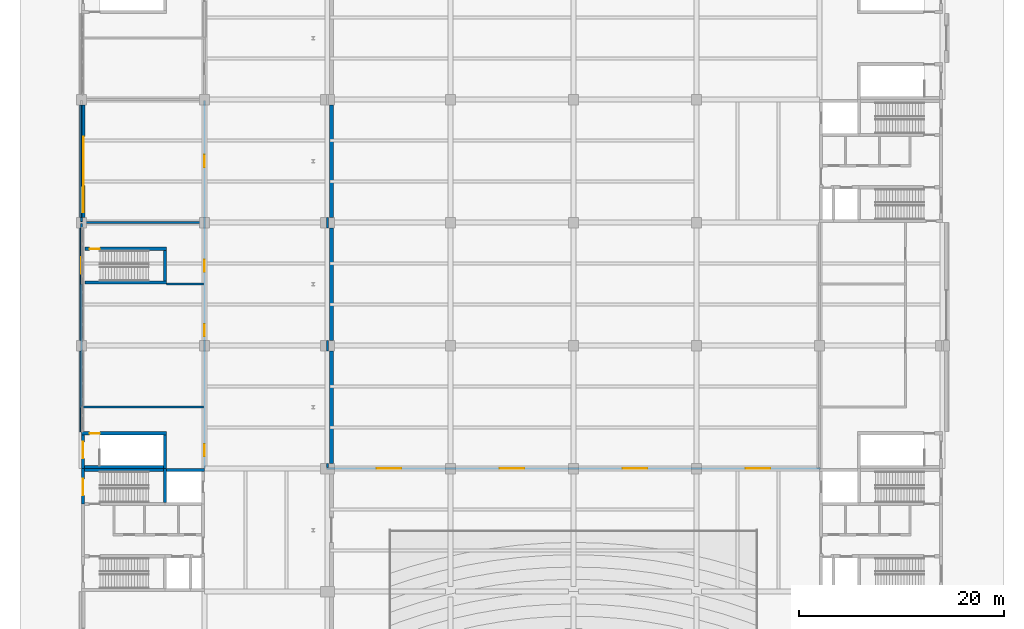
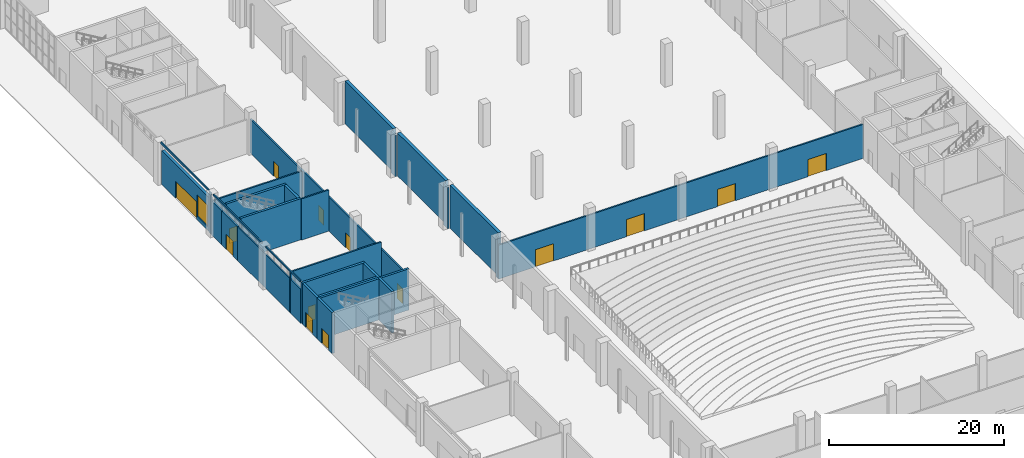
# One storey, part 41 of 59: 31 walls, 14 doors, 1 window, 15 openings.
"""IFC4 building model written with IfcOpenShell, lengths in metres."""

from ifc_helpers import new_model, si_unit, direction, frame, frame_2d, origin, place, context, subcontext, project, spatial, rectangle, extrude, material, layer, layer_set, type_object, element, fill, save


model = new_model("IFC4")

# Units and contexts
model_context = context("Model", 3, precision=1e-05, world=origin(), true_north=direction((0.0, 1.0)))
body_context = subcontext(model_context, "Body", "Model", "MODEL_VIEW")
ifc_project = project(units=[si_unit("LENGTHUNIT", "METRE"), si_unit("AREAUNIT", "SQUARE_METRE"), si_unit("VOLUMEUNIT", "CUBIC_METRE"), si_unit("PLANEANGLEUNIT", "RADIAN"), si_unit("MASSUNIT", "GRAM", prefix="KILO")], contexts=[model_context])

# Site, building, storey
site_placement = place(None, origin())
site = spatial("IfcSite", under=ifc_project, at=site_placement, CompositionType="ELEMENT")
building_placement = place(site_placement, origin())
building = spatial("IfcBuilding", under=site, at=building_placement, Name="Lilac Gate Convention Centre", CompositionType="ELEMENT")
storey_placement = place(building_placement, origin())
storey = spatial("IfcBuildingStorey", under=building, at=storey_placement, Name="L00", CompositionType="ELEMENT", Elevation=0.0)

# Walls
ifc_material_1 = material(Name="Concrete C30", Category="concrete")
ifc_layer_1 = layer(ifc_material_1, 0.39990234375)
ifc_layer_set_1 = layer_set([ifc_layer_1], Name="Concrete C30")
wall_type_1 = type_object("IfcWallType", Name="Hall fire wall 400", PredefinedType="SOLIDWALL", material=ifc_layer_set_1)
for number, where, z_axis, x_axis, name in (
    (1, (30.39990234375, 162.5, 0.0), (0.0, 0.0, 1.0), (0.0, 1.0, 0.0), "Fire wall galleria FW L00 12"),
    (2, (30.39990234375, 174.5, 0.0), (0.0, 0.0, 1.0), (0.0, 1.0, 0.0), "Fire wall galleria FW L00 13"),
    (3, (30.39990234375, 186.5, 0.0), (0.0, 0.0, 1.0), (0.0, 1.0, 0.0), "Fire wall galleria FW L00 14"),
):
    element("IfcWall", number, at=place(storey_placement, frame(where, z_axis=z_axis, x_axis=x_axis)), inside=storey, type_object=wall_type_1, Name=name, PredefinedType="SOLIDWALL", context=body_context, shape_type="SweptSolid", body=[
        extrude(rectangle(XDim=11.0, YDim=0.39990234375, at=frame_2d((5.5, 0.0))), origin(), (0.0, 0.0, 1.0), 6.0),
    ])
ifc_material_2 = material(Name="Fire-rated gypsum board on steel stud", Category="steel")
ifc_layer_2 = layer(ifc_material_2, 0.14990234375)
ifc_layer_set_2 = layer_set([ifc_layer_2], Name="Fire-rated gypsum board on steel stud")
wall_type_2 = type_object("IfcWallType", Name="Partition 150 fire-rated gypsum board EI 60", PredefinedType="PARTITIONING", material=ifc_layer_set_2)
wall_1_placement = place(storey_placement, frame((6.0, 168.10009765625, 0.0), z_axis=(0.0, 0.0, 1.0), x_axis=(0.0, 1.0, 0.0)))
element("IfcWall", 4, at=wall_1_placement, inside=storey, type_object=wall_type_2, Name="Partition 150 fire-rated gypsum board EI 60", PredefinedType="PARTITIONING", context=body_context, shape_type="SweptSolid", body=[
    extrude(rectangle(XDim=11.89990234375, YDim=0.14990234375, at=frame_2d((5.949951171875, 0.0))), origin(), (0.0, 0.0, 1.0), 4.75),
])
wall_2_placement = place(storey_placement, frame((6.0, 186.10009765625, 0.0), z_axis=(0.0, 0.0, 1.0), x_axis=(0.0, 1.0, 0.0)))
element("IfcWall", 5, at=wall_2_placement, inside=storey, type_object=wall_type_2, Name="Partition 150 fire-rated gypsum board EI 60", PredefinedType="PARTITIONING", context=body_context, shape_type="SweptSolid", body=[
    extrude(rectangle(XDim=0.39990234375, YDim=0.14990234375, at=frame_2d((0.199951171875, 0.0))), origin(), (0.0, 0.0, 1.0), 5.75),
])

# Wall, openings, doors
ifc_material_3 = material(Name="Clay brick masonry", Category="masonry")
ifc_layer_3 = layer(ifc_material_3, 0.199951171875)
ifc_layer_set_3 = layer_set([ifc_layer_3], Name="Clay brick masonry")
wall_type_3 = type_object("IfcWallType", Name="Partition 200 brick EI 120", PredefinedType="PARTITIONING", material=ifc_layer_set_3)
wall_3_placement = place(storey_placement, frame((29.89990234375, 162.0, 0.0), z_axis=(0.0, 0.0, 1.0), x_axis=(1.0, 0.0, 0.0)))
wall_3 = element("IfcWall", 6, at=wall_3_placement, inside=storey, type_object=wall_type_3, Name="Partition 200 brick EI 120", PredefinedType="PARTITIONING", context=body_context, shape_type="SweptSolid", body=[
    extrude(rectangle(XDim=48.2001953125, YDim=0.199951171875, at=frame_2d((24.10009765625, 0.0))), origin(), (0.0, 0.0, 1.0), 4.75),
])
opening_1_placement = place(wall_3_placement, frame((4.89990234375, 0.0, 0.0)))
opening_1 = element("IfcOpeningElement", 7, at=opening_1_placement, cuts=wall_3, Name="Opening L00-093", PredefinedType="OPENING", context=body_context, shape_type="SweptSolid", body=[
    extrude(rectangle(XDim=2.39990234375, YDim=2.39990234375, at=frame_2d((1.199951171875, 1.199951171875))), frame((0.0, 0.10986328125, 0.0), z_axis=(0.0, -1.0, 0.0), x_axis=(1.0, 0.0, 0.0)), (0.0, 0.0, 1.0), 0.219970703125),
])
opening_2_placement = place(wall_3_placement, frame((16.89990234375, 0.0, 0.0)))
opening_2 = element("IfcOpeningElement", 8, at=opening_2_placement, cuts=wall_3, Name="Opening L00-094", PredefinedType="OPENING", context=body_context, shape_type="SweptSolid", body=[
    extrude(rectangle(XDim=2.39990234375, YDim=2.39990234375, at=frame_2d((1.199951171875, 1.199951171875))), frame((0.0, 0.10986328125, 0.0), z_axis=(0.0, -1.0, 0.0), x_axis=(1.0, 0.0, 0.0)), (0.0, 0.0, 1.0), 0.219970703125),
])
opening_3_placement = place(wall_3_placement, frame((28.89990234375, 0.0, 0.0)))
opening_3 = element("IfcOpeningElement", 9, at=opening_3_placement, cuts=wall_3, Name="Opening L00-095", PredefinedType="OPENING", context=body_context, shape_type="SweptSolid", body=[
    extrude(rectangle(XDim=2.39990234375, YDim=2.39990234375, at=frame_2d((1.199951171875, 1.199951171875))), frame((0.0, 0.10986328125, 0.0), z_axis=(0.0, -1.0, 0.0), x_axis=(1.0, 0.0, 0.0)), (0.0, 0.0, 1.0), 0.219970703125),
])
opening_4_placement = place(wall_3_placement, frame((40.89990234375, 0.0, 0.0)))
opening_4 = element("IfcOpeningElement", 10, at=opening_4_placement, cuts=wall_3, Name="Opening L00-096", PredefinedType="OPENING", context=body_context, shape_type="SweptSolid", body=[
    extrude(rectangle(XDim=2.39990234375, YDim=2.39990234375, at=frame_2d((1.199951171875, 1.199951171875))), frame((0.0, 0.10986328125, 0.0), z_axis=(0.0, -1.0, 0.0), x_axis=(1.0, 0.0, 0.0)), (0.0, 0.0, 1.0), 0.219970703125),
])
ifc_material_4 = material(Name="Steel Q235B", Category="steel")
door_type_1 = type_object("IfcDoorType", Name="Door 2400 x 2400 double leaf FD90", OperationType="DOUBLE_DOOR_SINGLE_SWING", PredefinedType="DOOR", material=ifc_material_4)
door_1_placement = place(opening_1_placement, origin())
door_1 = element("IfcDoor", 11, at=door_1_placement, inside=storey, type_object=door_type_1, Name="Hall exit door L00-093", OperationType="DOUBLE_DOOR_SINGLE_SWING", OverallHeight=2.39990234375, OverallWidth=2.39990234375, PredefinedType="DOOR", context=body_context, shape_type="SweptSolid", body=[
    extrude(rectangle(XDim=2.39990234375, YDim=2.39990234375, at=frame_2d((1.199951171875, 1.199951171875))), frame((0.0, 0.02490234375, 0.0), z_axis=(0.0, -1.0, 0.0), x_axis=(1.0, 0.0, 0.0)), (0.0, 0.0, 1.0), 0.050048828125),
])
fill(opening_1, door_1)
door_2_placement = place(opening_2_placement, origin())
door_2 = element("IfcDoor", 12, at=door_2_placement, inside=storey, type_object=door_type_1, Name="Hall exit door L00-094", OperationType="DOUBLE_DOOR_SINGLE_SWING", OverallHeight=2.39990234375, OverallWidth=2.39990234375, PredefinedType="DOOR", context=body_context, shape_type="SweptSolid", body=[
    extrude(rectangle(XDim=2.39990234375, YDim=2.39990234375, at=frame_2d((1.199951171875, 1.199951171875))), frame((0.0, 0.02490234375, 0.0), z_axis=(0.0, -1.0, 0.0), x_axis=(1.0, 0.0, 0.0)), (0.0, 0.0, 1.0), 0.050048828125),
])
fill(opening_2, door_2)
door_3_placement = place(opening_3_placement, origin())
door_3 = element("IfcDoor", 13, at=door_3_placement, inside=storey, type_object=door_type_1, Name="Hall exit door L00-095", OperationType="DOUBLE_DOOR_SINGLE_SWING", OverallHeight=2.39990234375, OverallWidth=2.39990234375, PredefinedType="DOOR", context=body_context, shape_type="SweptSolid", body=[
    extrude(rectangle(XDim=2.39990234375, YDim=2.39990234375, at=frame_2d((1.199951171875, 1.199951171875))), frame((0.0, 0.02490234375, 0.0), z_axis=(0.0, -1.0, 0.0), x_axis=(1.0, 0.0, 0.0)), (0.0, 0.0, 1.0), 0.050048828125),
])
fill(opening_3, door_3)
door_4_placement = place(opening_4_placement, origin())
door_4 = element("IfcDoor", 14, at=door_4_placement, inside=storey, type_object=door_type_1, Name="Hall exit door L00-096", OperationType="DOUBLE_DOOR_SINGLE_SWING", OverallHeight=2.39990234375, OverallWidth=2.39990234375, PredefinedType="DOOR", context=body_context, shape_type="SweptSolid", body=[
    extrude(rectangle(XDim=2.39990234375, YDim=2.39990234375, at=frame_2d((1.199951171875, 1.199951171875))), frame((0.0, 0.02490234375, 0.0), z_axis=(0.0, -1.0, 0.0), x_axis=(1.0, 0.0, 0.0)), (0.0, 0.0, 1.0), 0.050048828125),
])
fill(opening_4, door_4)

# Wall, opening, door
wall_4_placement = place(storey_placement, frame((6.0, 180.0, 0.0), z_axis=(0.0, 0.0, 1.0), x_axis=(0.0, 1.0, 0.0)))
wall_4 = element("IfcWall", 15, at=wall_4_placement, inside=storey, type_object=wall_type_3, Name="Partition 200 brick EI 120", PredefinedType="PARTITIONING", context=body_context, shape_type="SweptSolid", body=[
    extrude(rectangle(XDim=3.60009765625, YDim=0.199951171875, at=frame_2d((1.800048828125, 0.0))), origin(), (0.0, 0.0, 1.0), 4.75),
])
opening_5_placement = place(wall_4_placement, frame((1.0, 0.0, 0.0)))
opening_5 = element("IfcOpeningElement", 16, at=opening_5_placement, cuts=wall_4, Name="Opening L00-104", PredefinedType="OPENING", context=body_context, shape_type="SweptSolid", body=[
    extrude(rectangle(XDim=1.60009765625, YDim=2.10009765625, at=frame_2d((0.800048828125, 1.050048828125))), frame((0.0, 0.10986328125, 0.0), z_axis=(0.0, -1.0, 0.0), x_axis=(1.0, 0.0, 0.0)), (0.0, 0.0, 1.0), 0.219970703125),
])
ifc_material_5 = material(Name="Timber fire door leaf", Category="wood")
door_type_2 = type_object("IfcDoorType", Name="Door 1600 x 2100 double leaf FD60", OperationType="DOUBLE_DOOR_SINGLE_SWING", PredefinedType="DOOR", material=ifc_material_5)
door_5_placement = place(opening_5_placement, origin())
door_5 = element("IfcDoor", 17, at=door_5_placement, inside=storey, type_object=door_type_2, Name="Stair exit door L00-104", OperationType="DOUBLE_DOOR_SINGLE_SWING", OverallHeight=2.10009765625, OverallWidth=1.60009765625, PredefinedType="DOOR", context=body_context, shape_type="SweptSolid", body=[
    extrude(rectangle(XDim=1.60009765625, YDim=2.10009765625, at=frame_2d((0.800048828125, 1.050048828125))), frame((0.0, 0.02490234375, 0.0), z_axis=(0.0, -1.0, 0.0), x_axis=(1.0, 0.0, 0.0)), (0.0, 0.0, 1.0), 0.050048828125),
])
fill(opening_5, door_5)

# Walls
ifc_layer_4 = layer(ifc_material_3, 0.199951171875)
ifc_layer_set_4 = layer_set([ifc_layer_4], Name="Clay brick masonry")
wall_type_4 = type_object("IfcWallType", Name="Partition 200 brick EI 60", PredefinedType="PARTITIONING", material=ifc_layer_set_4)
wall_5_placement = place(storey_placement, frame((5.925048828125, 168.0, 0.0), z_axis=(0.0, 0.0, 1.0), x_axis=(1.0, 0.0, 0.0)))
element("IfcWall", 18, at=wall_5_placement, inside=storey, type_object=wall_type_4, Name="Partition 200 brick EI 60", PredefinedType="PARTITIONING", context=body_context, shape_type="SweptSolid", body=[
    extrude(rectangle(XDim=11.974853515625, YDim=0.199951171875, at=frame_2d((5.9873046875, 0.0))), origin(), (0.0, 0.0, 1.0), 5.75),
])
wall_6_placement = place(storey_placement, frame((14.300048828125, 180.0, 0.0), z_axis=(0.0, 0.0, 1.0), x_axis=(1.0, 0.0, 0.0)))
element("IfcWall", 19, at=wall_6_placement, inside=storey, type_object=wall_type_4, Name="Partition 200 brick EI 60", PredefinedType="PARTITIONING", context=body_context, shape_type="SweptSolid", body=[
    extrude(rectangle(XDim=3.599853515625, YDim=0.199951171875, at=frame_2d((1.7998046875, 0.0))), origin(), (0.0, 0.0, 1.0), 5.75),
])
wall_7_placement = place(storey_placement, frame((5.925048828125, 186.0, 0.0), z_axis=(0.0, 0.0, 1.0), x_axis=(1.0, 0.0, 0.0)))
element("IfcWall", 20, at=wall_7_placement, inside=storey, type_object=wall_type_4, Name="Partition 200 brick EI 60", PredefinedType="PARTITIONING", context=body_context, shape_type="SweptSolid", body=[
    extrude(rectangle(XDim=11.974853515625, YDim=0.199951171875, at=frame_2d((5.9873046875, 0.0))), origin(), (0.0, 0.0, 1.0), 4.75),
])
for number, where, z_axis, x_axis, name in (
    (21, (6.0, 165.60009765625, 0.0), (0.0, 0.0, 1.0), (0.0, 1.0, 0.0), "Partition 200 brick EI 60"),
    (22, (6.0, 183.60009765625, 0.0), (0.0, 0.0, 1.0), (0.0, 1.0, 0.0), "Partition 200 brick EI 60"),
):
    element("IfcWall", number, at=place(storey_placement, frame(where, z_axis=z_axis, x_axis=x_axis)), inside=storey, type_object=wall_type_4, Name=name, PredefinedType="PARTITIONING", context=body_context, shape_type="SweptSolid", body=[
        extrude(rectangle(XDim=2.2998046875, YDim=0.199951171875, at=frame_2d((1.14990234375, 0.0))), origin(), (0.0, 0.0, 1.0), 4.75),
    ])

# Wall, openings, doors
wall_8_placement = place(storey_placement, frame((18.0, 162.0, 0.0), z_axis=(0.0, 0.0, 1.0), x_axis=(0.0, 1.0, 0.0)))
wall_8 = element("IfcWall", 23, at=wall_8_placement, inside=storey, type_object=wall_type_4, Name="Partition 200 brick EI 60", PredefinedType="PARTITIONING", context=body_context, shape_type="SweptSolid", body=[
    extrude(rectangle(XDim=35.89990234375, YDim=0.199951171875, at=frame_2d((17.949951171875, 0.0))), origin(), (0.0, 0.0, 1.0), 4.75),
])
opening_6_placement = place(wall_8_placement, frame((1.199951171875, 0.0, 0.0)))
opening_6 = element("IfcOpeningElement", 24, at=opening_6_placement, cuts=wall_8, Name="Opening L00-098", PredefinedType="OPENING", context=body_context, shape_type="SweptSolid", body=[
    extrude(rectangle(XDim=1.199951171875, YDim=2.10009765625, at=frame_2d((0.60009765625, 1.050048828125))), frame((0.0, 0.10986328125, 0.0), z_axis=(0.0, -1.0, 0.0), x_axis=(1.0, 0.0, 0.0)), (0.0, 0.0, 1.0), 0.219970703125),
])
opening_7_placement = place(wall_8_placement, frame((12.89990234375, 0.0, 0.0)))
opening_7 = element("IfcOpeningElement", 25, at=opening_7_placement, cuts=wall_8, Name="Opening L00-103", PredefinedType="OPENING", context=body_context, shape_type="SweptSolid", body=[
    extrude(rectangle(XDim=1.199951171875, YDim=2.10009765625, at=frame_2d((0.60009765625, 1.050048828125))), frame((0.0, 0.10986328125, 0.0), z_axis=(0.0, -1.0, 0.0), x_axis=(1.0, 0.0, 0.0)), (0.0, 0.0, 1.0), 0.219970703125),
])
opening_8_placement = place(wall_8_placement, frame((19.199951171875, 0.0, 0.0)))
opening_8 = element("IfcOpeningElement", 26, at=opening_8_placement, cuts=wall_8, Name="Opening L00-105", PredefinedType="OPENING", context=body_context, shape_type="SweptSolid", body=[
    extrude(rectangle(XDim=1.199951171875, YDim=2.10009765625, at=frame_2d((0.60009765625, 1.050048828125))), frame((0.0, 0.10986328125, 0.0), z_axis=(0.0, -1.0, 0.0), x_axis=(1.0, 0.0, 0.0)), (0.0, 0.0, 1.0), 0.219970703125),
])
opening_9_placement = place(wall_8_placement, frame((29.39990234375, 0.0, 0.0)))
opening_9 = element("IfcOpeningElement", 27, at=opening_9_placement, cuts=wall_8, Name="Opening L00-116", PredefinedType="OPENING", context=body_context, shape_type="SweptSolid", body=[
    extrude(rectangle(XDim=1.199951171875, YDim=2.10009765625, at=frame_2d((0.60009765625, 1.050048828125))), frame((0.0, 0.10986328125, 0.0), z_axis=(0.0, -1.0, 0.0), x_axis=(1.0, 0.0, 0.0)), (0.0, 0.0, 1.0), 0.219970703125),
])
door_type_3 = type_object("IfcDoorType", Name="Door 1200 x 2100 single leaf FD30", OperationType="SINGLE_SWING_LEFT", PredefinedType="DOOR", material=ifc_material_5)
door_6_placement = place(opening_7_placement, frame((1.199951171875, 0.0, 0.0), z_axis=(0.0, 0.0, 1.0), x_axis=(-1.0, 0.0, 0.0)))
door_6 = element("IfcDoor", 28, at=door_6_placement, inside=storey, type_object=door_type_3, Name="Cafe door L00-103", OperationType="SINGLE_SWING_RIGHT", OverallHeight=2.10009765625, OverallWidth=1.199951171875, PredefinedType="DOOR", context=body_context, shape_type="SweptSolid", body=[
    extrude(rectangle(XDim=1.199951171875, YDim=2.10009765625, at=frame_2d((0.60009765625, 1.050048828125))), frame((0.0, 0.02490234375, 0.0), z_axis=(0.0, -1.0, 0.0), x_axis=(1.0, 0.0, 0.0)), (0.0, 0.0, 1.0), 0.050048828125),
])
fill(opening_7, door_6)
door_7_placement = place(opening_9_placement, frame((1.199951171875, 0.0, 0.0), z_axis=(0.0, 0.0, 1.0), x_axis=(-1.0, 0.0, 0.0)))
door_7 = element("IfcDoor", 29, at=door_7_placement, inside=storey, type_object=door_type_3, Name="Shop door L00-116", OperationType="SINGLE_SWING_RIGHT", OverallHeight=2.10009765625, OverallWidth=1.199951171875, PredefinedType="DOOR", context=body_context, shape_type="SweptSolid", body=[
    extrude(rectangle(XDim=1.199951171875, YDim=2.10009765625, at=frame_2d((0.60009765625, 1.050048828125))), frame((0.0, 0.02490234375, 0.0), z_axis=(0.0, -1.0, 0.0), x_axis=(1.0, 0.0, 0.0)), (0.0, 0.0, 1.0), 0.050048828125),
])
fill(opening_9, door_7)
door_type_4 = type_object("IfcDoorType", Name="Door 1200 x 2100 single leaf FD60", OperationType="SINGLE_SWING_LEFT", PredefinedType="DOOR", material=ifc_material_5)
door_8_placement = place(opening_6_placement, origin())
door_8 = element("IfcDoor", 30, at=door_8_placement, inside=storey, type_object=door_type_4, Name="Lobby door L00-098", OperationType="SINGLE_SWING_RIGHT", OverallHeight=2.10009765625, OverallWidth=1.199951171875, PredefinedType="DOOR", context=body_context, shape_type="SweptSolid", body=[
    extrude(rectangle(XDim=1.199951171875, YDim=2.10009765625, at=frame_2d((0.60009765625, 1.050048828125))), frame((0.0, 0.02490234375, 0.0), z_axis=(0.0, -1.0, 0.0), x_axis=(1.0, 0.0, 0.0)), (0.0, 0.0, 1.0), 0.050048828125),
])
fill(opening_6, door_8)
door_9_placement = place(opening_8_placement, origin())
door_9 = element("IfcDoor", 31, at=door_9_placement, inside=storey, type_object=door_type_4, Name="Lobby door L00-105", OperationType="SINGLE_SWING_RIGHT", OverallHeight=2.10009765625, OverallWidth=1.199951171875, PredefinedType="DOOR", context=body_context, shape_type="SweptSolid", body=[
    extrude(rectangle(XDim=1.199951171875, YDim=2.10009765625, at=frame_2d((0.60009765625, 1.050048828125))), frame((0.0, 0.02490234375, 0.0), z_axis=(0.0, -1.0, 0.0), x_axis=(1.0, 0.0, 0.0)), (0.0, 0.0, 1.0), 0.050048828125),
])
fill(opening_8, door_9)

# Walls
wall_9_placement = place(storey_placement, frame((30.0, 162.10009765625, 0.0), z_axis=(0.0, 0.0, 1.0), x_axis=(0.0, 1.0, 0.0)))
element("IfcWall", 32, at=wall_9_placement, inside=storey, type_object=wall_type_4, Name="Partition 200 brick EI 60", PredefinedType="PARTITIONING", context=body_context, shape_type="SweptSolid", body=[
    extrude(rectangle(XDim=0.39990234375, YDim=0.199951171875, at=frame_2d((0.199951171875, 0.0))), origin(), (0.0, 0.0, 1.0), 5.75),
])
for number, where, z_axis, x_axis, name in (
    (33, (30.0, 173.5, 0.0), (0.0, 0.0, 1.0), (0.0, 1.0, 0.0), "Partition 200 brick EI 60"),
    (34, (30.0, 185.5, 0.0), (0.0, 0.0, 1.0), (0.0, 1.0, 0.0), "Partition 200 brick EI 60"),
):
    element("IfcWall", number, at=place(storey_placement, frame(where, z_axis=z_axis, x_axis=x_axis)), inside=storey, type_object=wall_type_4, Name=name, PredefinedType="PARTITIONING", context=body_context, shape_type="SweptSolid", body=[
        extrude(rectangle(XDim=1.0, YDim=0.199951171875, at=frame_2d((0.5, 0.0))), origin(), (0.0, 0.0, 1.0), 5.75),
    ])

# Wall, openings, door, window
ifc_material_6 = material(Name="Ochre mineral render")
ifc_layer_5 = layer(ifc_material_6, 0.02001953125)
ifc_material_7 = material(Name="Concrete C40 precast", Category="concrete")
ifc_layer_6 = layer(ifc_material_7, 0.06005859375)
ifc_material_8 = material(Name="Ventilated air cavity")
ifc_layer_7 = layer(ifc_material_8, 0.030029296875)
ifc_material_9 = material(Name="Mineral wool insulation")
ifc_layer_8 = layer(ifc_material_9, 0.169921875)
ifc_material_10 = material(Name="Steel stud Q345 and gypsum lining", Category="steel")
ifc_layer_9 = layer(ifc_material_10, 0.070068359375)
ifc_layer_set_5 = layer_set([ifc_layer_5, ifc_layer_6, ifc_layer_7, ifc_layer_8, ifc_layer_9], Name="Ochre mineral render, Concrete C40 precast, Ventilated air cavity, Mineral wool insulation, Steel stud Q345 and gypsum lining")
wall_type_5 = type_object("IfcWallType", Name="Podium precast wall 350", PredefinedType="STANDARD", material=ifc_layer_set_5)
wall_10_placement = place(storey_placement, frame((6.175048828125, 197.5, 0.0), z_axis=(0.0, 0.0, 1.0), x_axis=(0.0, -1.0, 0.0)))
wall_10 = element("IfcWall", 35, at=wall_10_placement, inside=storey, type_object=wall_type_5, Name="External wall west PW L00 2", PredefinedType="STANDARD", context=body_context, shape_type="SweptSolid", body=[
    extrude(rectangle(XDim=11.0, YDim=0.35009765625, at=frame_2d((5.5, 0.0))), origin(), (0.0, 0.0, 1.0), 4.75),
])
opening_10_placement = place(wall_10_placement, frame((8.10009765625, 0.0, 0.449951171875)))
opening_10 = element("IfcOpeningElement", 36, at=opening_10_placement, cuts=wall_10, Name="Opening W6", PredefinedType="OPENING", context=body_context, shape_type="SweptSolid", body=[
    extrude(rectangle(XDim=2.39990234375, YDim=3.0, at=frame_2d((1.199951171875, 1.5))), frame((0.0, 0.18505859375, 0.0), z_axis=(0.0, -1.0, 0.0), x_axis=(1.0, 0.0, 0.0)), (0.0, 0.0, 1.0), 0.3701171875),
])
opening_11_placement = place(wall_10_placement, frame((3.10009765625, 0.0, 0.0)))
opening_11 = element("IfcOpeningElement", 37, at=opening_11_placement, cuts=wall_10, Name="Opening ED-006", PredefinedType="OPENING", context=body_context, shape_type="SweptSolid", body=[
    extrude(rectangle(XDim=4.800048828125, YDim=2.39990234375, at=frame_2d((2.39990234375, 1.199951171875))), frame((0.0, 0.18505859375, 0.0), z_axis=(0.0, -1.0, 0.0), x_axis=(1.0, 0.0, 0.0)), (0.0, 0.0, 1.0), 0.3701171875),
])
door_type_5 = type_object("IfcDoorType", Name="Exit door set 4800 x 2400", OperationType="DOUBLE_DOOR_SINGLE_SWING", PredefinedType="DOOR", material=ifc_material_4)
door_10_placement = place(opening_11_placement, frame((4.800048828125, 0.0, 0.0), z_axis=(0.0, 0.0, 1.0), x_axis=(-1.0, 0.0, 0.0)))
door_10 = element("IfcDoor", 38, at=door_10_placement, inside=storey, type_object=door_type_5, Name="Pedestrian exit doors G1", OperationType="DOUBLE_DOOR_SINGLE_SWING", OverallHeight=2.39990234375, OverallWidth=4.800048828125, PredefinedType="DOOR", context=body_context, shape_type="SweptSolid", body=[
    extrude(rectangle(XDim=4.800048828125, YDim=2.39990234375, at=frame_2d((2.39990234375, 1.199951171875))), frame((0.0, 0.02490234375, 0.0), z_axis=(0.0, -1.0, 0.0), x_axis=(1.0, 0.0, 0.0)), (0.0, 0.0, 1.0), 0.050048828125),
])
fill(opening_11, door_10)
ifc_material_11 = material(Name="Aluminium framed double glazing", Category="aluminium")
window_type = type_object("IfcWindowType", Name="Shopfront window 2400 x 3000", PartitioningType="TRIPLE_PANEL_VERTICAL", PredefinedType="WINDOW", material=ifc_material_11)
window_placement = place(opening_10_placement, origin())
window = element("IfcWindow", 39, at=window_placement, inside=storey, type_object=window_type, Name="Window L00 west 189", OverallHeight=3.0, OverallWidth=2.39990234375, PartitioningType="SINGLE_PANEL", PredefinedType="WINDOW", context=body_context, shape_type="SweptSolid", body=[
    extrude(rectangle(XDim=2.39990234375, YDim=3.0, at=frame_2d((1.199951171875, 1.5))), frame((0.0, 0.030029296875, 0.0), z_axis=(0.0, -1.0, 0.0), x_axis=(1.0, 0.0, 0.0)), (0.0, 0.0, 1.0), 0.06005859375),
])
fill(opening_10, window)

# Walls
ifc_layer_10 = layer(ifc_material_7, 0.1298828125)
ifc_material_12 = material(Name="Teal glazed cladding")
ifc_layer_11 = layer(ifc_material_12, 0.02001953125)
ifc_layer_set_6 = layer_set([ifc_layer_10, ifc_layer_11], Name="Concrete C40 precast, Teal glazed cladding")
wall_type_6 = type_object("IfcWallType", Name="Precast band teal 150", PredefinedType="STANDARD", material=ifc_layer_set_6)
for number, where, z_axis, x_axis, name in (
    (40, (5.925048828125, 197.5, 5.75), (0.0, 0.0, 1.0), (0.0, -1.0, 0.0), "Precast band PW L00 2"),
    (41, (5.925048828125, 185.5, 5.75), (0.0, 0.0, 1.0), (0.0, -1.0, 0.0), "Precast band PW L00 3"),
):
    element("IfcWall", number, at=place(storey_placement, frame(where, z_axis=z_axis, x_axis=x_axis)), inside=storey, type_object=wall_type_6, Name=name, PredefinedType="STANDARD", context=body_context, shape_type="SweptSolid", body=[
        extrude(rectangle(XDim=11.0, YDim=0.14990234375, at=frame_2d((5.5, 0.0))), origin(), (0.0, 0.0, 1.0), 0.25),
    ])
wall_11_placement = place(storey_placement, frame((5.925048828125, 173.5, 5.75), z_axis=(0.0, 0.0, 1.0), x_axis=(0.0, -1.0, 0.0)))
element("IfcWall", 42, at=wall_11_placement, inside=storey, type_object=wall_type_6, Name="Precast band PW L00 4", PredefinedType="STANDARD", context=body_context, shape_type="SweptSolid", body=[
    extrude(rectangle(XDim=7.89990234375, YDim=0.14990234375, at=frame_2d((3.949951171875, 0.0))), origin(), (0.0, 0.0, 1.0), 0.25),
])
ifc_material_13 = material(Name="Concrete C40", Category="concrete")
ifc_layer_12 = layer(ifc_material_13, 0.300048828125)
ifc_layer_set_7 = layer_set([ifc_layer_12], Name="Concrete C40")
wall_type_7 = type_object("IfcWallType", Name="Shear wall 300 C40", PredefinedType="SHEAR", material=ifc_layer_set_7)
wall_12_placement = place(storey_placement, frame((6.0, 162.14990234375, 0.0), z_axis=(0.0, 0.0, 1.0), x_axis=(1.0, 0.0, 0.0)))
element("IfcWall", 43, at=wall_12_placement, inside=storey, type_object=wall_type_7, Name="SW1 shear wall BW3 L00 1", PredefinedType="SHEAR", context=body_context, shape_type="SweptSolid", body=[
    extrude(rectangle(XDim=8.300048828125, YDim=0.300048828125, at=frame_2d((4.14990234375, 0.0))), origin(), (0.0, 0.0, 1.0), 5.75),
])

# Wall, opening, door
wall_13_placement = place(storey_placement, frame((6.0, 165.449951171875, 0.0), z_axis=(0.0, 0.0, 1.0), x_axis=(1.0, 0.0, 0.0)))
wall_13 = element("IfcWall", 44, at=wall_13_placement, inside=storey, type_object=wall_type_7, Name="SW1 shear wall BW3 L00 2", PredefinedType="SHEAR", context=body_context, shape_type="SweptSolid", body=[
    extrude(rectangle(XDim=8.300048828125, YDim=0.300048828125, at=frame_2d((4.14990234375, 0.0))), origin(), (0.0, 0.0, 1.0), 5.75),
])
opening_12_placement = place(wall_13_placement, frame((0.800048828125, 0.0, 0.0)))
opening_12 = element("IfcOpeningElement", 45, at=opening_12_placement, cuts=wall_13, Name="Opening L00-100", PredefinedType="OPENING", context=body_context, shape_type="SweptSolid", body=[
    extrude(rectangle(XDim=1.0, YDim=2.10009765625, at=frame_2d((0.5, 1.050048828125))), frame((0.0, 0.159912109375, 0.0), z_axis=(0.0, -1.0, 0.0), x_axis=(1.0, 0.0, 0.0)), (0.0, 0.0, 1.0), 0.320068359375),
])
door_type_6 = type_object("IfcDoorType", Name="Door 1000 x 2100 single leaf FD60", OperationType="SINGLE_SWING_LEFT", PredefinedType="DOOR", material=ifc_material_5)
door_11_placement = place(opening_12_placement, frame((1.0, 0.0, 0.0), z_axis=(0.0, 0.0, 1.0), x_axis=(-1.0, 0.0, 0.0)))
door_11 = element("IfcDoor", 46, at=door_11_placement, inside=storey, type_object=door_type_6, Name="Stair door L00-100", OperationType="SINGLE_SWING_LEFT", OverallHeight=2.10009765625, OverallWidth=1.0, PredefinedType="DOOR", context=body_context, shape_type="SweptSolid", body=[
    extrude(rectangle(XDim=1.0, YDim=2.10009765625, at=frame_2d((0.5, 1.050048828125))), frame((0.0, 0.02490234375, 0.0), z_axis=(0.0, -1.0, 0.0), x_axis=(1.0, 0.0, 0.0)), (0.0, 0.0, 1.0), 0.050048828125),
])
fill(opening_12, door_11)

wall_14_placement = place(storey_placement, frame((6.14990234375, 162.0, 0.0), z_axis=(0.0, 0.0, 1.0), x_axis=(0.0, 1.0, 0.0)))
wall_14 = element("IfcWall", 47, at=wall_14_placement, inside=storey, type_object=wall_type_7, Name="SW1 shear wall BW3 L00 3", PredefinedType="SHEAR", context=body_context, shape_type="SweptSolid", body=[
    extrude(rectangle(XDim=3.300048828125, YDim=0.300048828125, at=frame_2d((1.64990234375, 0.0))), origin(), (0.0, 0.0, 1.0), 5.75),
])
opening_13_placement = place(wall_14_placement, frame((1.0, 0.0, 0.0)))
opening_13 = element("IfcOpeningElement", 48, at=opening_13_placement, cuts=wall_14, Name="Opening L00-097", PredefinedType="OPENING", context=body_context, shape_type="SweptSolid", body=[
    extrude(rectangle(XDim=1.60009765625, YDim=2.10009765625, at=frame_2d((0.800048828125, 1.050048828125))), frame((0.0, 0.159912109375, 0.0), z_axis=(0.0, -1.0, 0.0), x_axis=(1.0, 0.0, 0.0)), (0.0, 0.0, 1.0), 0.320068359375),
])
door_12_placement = place(opening_13_placement, origin())
door_12 = element("IfcDoor", 49, at=door_12_placement, inside=storey, type_object=door_type_2, Name="Stair exit door L00-097", OperationType="DOUBLE_DOOR_SINGLE_SWING", OverallHeight=2.10009765625, OverallWidth=1.60009765625, PredefinedType="DOOR", context=body_context, shape_type="SweptSolid", body=[
    extrude(rectangle(XDim=1.60009765625, YDim=2.10009765625, at=frame_2d((0.800048828125, 1.050048828125))), frame((0.0, 0.02490234375, 0.0), z_axis=(0.0, -1.0, 0.0), x_axis=(1.0, 0.0, 0.0)), (0.0, 0.0, 1.0), 0.050048828125),
])
fill(opening_13, door_12)

# Walls
wall_15_placement = place(storey_placement, frame((14.14990234375, 162.0, 0.0), z_axis=(0.0, 0.0, 1.0), x_axis=(0.0, 1.0, 0.0)))
element("IfcWall", 50, at=wall_15_placement, inside=storey, type_object=wall_type_7, Name="SW1 shear wall BW3 L00 4", PredefinedType="SHEAR", context=body_context, shape_type="SweptSolid", body=[
    extrude(rectangle(XDim=3.300048828125, YDim=0.300048828125, at=frame_2d((1.64990234375, 0.0))), origin(), (0.0, 0.0, 1.0), 5.75),
])
wall_16_placement = place(storey_placement, frame((6.35009765625, 180.14990234375, 0.0), z_axis=(0.0, 0.0, 1.0), x_axis=(1.0, 0.0, 0.0)))
element("IfcWall", 51, at=wall_16_placement, inside=storey, type_object=wall_type_7, Name="SW1 shear wall UW2 L00 1", PredefinedType="SHEAR", context=body_context, shape_type="SweptSolid", body=[
    extrude(rectangle(XDim=7.949951171875, YDim=0.300048828125, at=frame_2d((3.97509765625, 0.0))), origin(), (0.0, 0.0, 1.0), 5.75),
])

# Wall, opening, door
wall_17_placement = place(storey_placement, frame((6.35009765625, 183.449951171875, 0.0), z_axis=(0.0, 0.0, 1.0), x_axis=(1.0, 0.0, 0.0)))
wall_17 = element("IfcWall", 52, at=wall_17_placement, inside=storey, type_object=wall_type_7, Name="SW1 shear wall UW2 L00 2", PredefinedType="SHEAR", context=body_context, shape_type="SweptSolid", body=[
    extrude(rectangle(XDim=7.949951171875, YDim=0.300048828125, at=frame_2d((3.97509765625, 0.0))), origin(), (0.0, 0.0, 1.0), 5.75),
])
opening_14_placement = place(wall_17_placement, frame((0.449951171875, 0.0, 0.0)))
opening_14 = element("IfcOpeningElement", 53, at=opening_14_placement, cuts=wall_17, Name="Opening L00-107", PredefinedType="OPENING", context=body_context, shape_type="SweptSolid", body=[
    extrude(rectangle(XDim=1.0, YDim=2.10009765625, at=frame_2d((0.5, 1.050048828125))), frame((0.0, 0.159912109375, 0.0), z_axis=(0.0, -1.0, 0.0), x_axis=(1.0, 0.0, 0.0)), (0.0, 0.0, 1.0), 0.320068359375),
])
door_13_placement = place(opening_14_placement, frame((1.0, 0.0, 0.0), z_axis=(0.0, 0.0, 1.0), x_axis=(-1.0, 0.0, 0.0)))
door_13 = element("IfcDoor", 54, at=door_13_placement, inside=storey, type_object=door_type_6, Name="Stair door L00-107", OperationType="SINGLE_SWING_LEFT", OverallHeight=2.10009765625, OverallWidth=1.0, PredefinedType="DOOR", context=body_context, shape_type="SweptSolid", body=[
    extrude(rectangle(XDim=1.0, YDim=2.10009765625, at=frame_2d((0.5, 1.050048828125))), frame((0.0, 0.02490234375, 0.0), z_axis=(0.0, -1.0, 0.0), x_axis=(1.0, 0.0, 0.0)), (0.0, 0.0, 1.0), 0.050048828125),
])
fill(opening_14, door_13)

# Walls
wall_18_placement = place(storey_placement, frame((14.14990234375, 180.300048828125, 0.0), z_axis=(0.0, 0.0, 1.0), x_axis=(0.0, 1.0, 0.0)))
element("IfcWall", 55, at=wall_18_placement, inside=storey, type_object=wall_type_7, Name="SW1 shear wall UW2 L00 3", PredefinedType="SHEAR", context=body_context, shape_type="SweptSolid", body=[
    extrude(rectangle(XDim=3.0, YDim=0.300048828125, at=frame_2d((1.5, 0.0))), origin(), (0.0, 0.0, 1.0), 5.75),
])
wall_19_placement = place(storey_placement, frame((6.0, 161.85009765625, 0.0), z_axis=(0.0, 0.0, 1.0), x_axis=(1.0, 0.0, 0.0)))
element("IfcWall", 56, at=wall_19_placement, inside=storey, type_object=wall_type_7, Name="SW1 shear wall W3 L00 4", PredefinedType="SHEAR", context=body_context, shape_type="SweptSolid", body=[
    extrude(rectangle(XDim=8.14990234375, YDim=0.300048828125, at=frame_2d((4.074951171875, 0.0))), origin(), (0.0, 0.0, 1.0), 5.75),
])
wall_20_placement = place(storey_placement, frame((14.14990234375, 161.85009765625, 0.0), z_axis=(0.0, 0.0, 1.0), x_axis=(1.0, 0.0, 0.0)))
element("IfcWall", 57, at=wall_20_placement, inside=storey, type_object=wall_type_7, Name="SW1 shear wall W3 L00 5", PredefinedType="SHEAR", context=body_context, shape_type="SweptSolid", body=[
    extrude(rectangle(XDim=3.85009765625, YDim=0.300048828125, at=frame_2d((1.925048828125, 0.0))), origin(), (0.0, 0.0, 1.0), 5.75),
])

# Wall, opening, door
wall_21_placement = place(storey_placement, frame((6.14990234375, 158.550048828125, 0.0), z_axis=(0.0, 0.0, 1.0), x_axis=(0.0, 1.0, 0.0)))
wall_21 = element("IfcWall", 58, at=wall_21_placement, inside=storey, type_object=wall_type_7, Name="SW1 shear wall W3 L00 13", PredefinedType="SHEAR", context=body_context, shape_type="SweptSolid", body=[
    extrude(rectangle(XDim=3.449951171875, YDim=0.300048828125, at=frame_2d((1.72509765625, 0.0))), origin(), (0.0, 0.0, 1.0), 5.75),
])
opening_15_placement = place(wall_21_placement, frame((0.85009765625, 0.0, 0.0)))
opening_15 = element("IfcOpeningElement", 59, at=opening_15_placement, cuts=wall_21, Name="Opening L00-089", PredefinedType="OPENING", context=body_context, shape_type="SweptSolid", body=[
    extrude(rectangle(XDim=1.60009765625, YDim=2.10009765625, at=frame_2d((0.800048828125, 1.050048828125))), frame((0.0, 0.159912109375, 0.0), z_axis=(0.0, -1.0, 0.0), x_axis=(1.0, 0.0, 0.0)), (0.0, 0.0, 1.0), 0.320068359375),
])
door_14_placement = place(opening_15_placement, origin())
door_14 = element("IfcDoor", 60, at=door_14_placement, inside=storey, type_object=door_type_2, Name="Stair exit door L00-089", OperationType="DOUBLE_DOOR_SINGLE_SWING", OverallHeight=2.10009765625, OverallWidth=1.60009765625, PredefinedType="DOOR", context=body_context, shape_type="SweptSolid", body=[
    extrude(rectangle(XDim=1.60009765625, YDim=2.10009765625, at=frame_2d((0.800048828125, 1.050048828125))), frame((0.0, 0.02490234375, 0.0), z_axis=(0.0, -1.0, 0.0), x_axis=(1.0, 0.0, 0.0)), (0.0, 0.0, 1.0), 0.050048828125),
])
fill(opening_15, door_14)

# Wall
wall_22_placement = place(storey_placement, frame((14.14990234375, 158.699951171875, 0.0), z_axis=(0.0, 0.0, 1.0), x_axis=(0.0, 1.0, 0.0)))
element("IfcWall", 61, at=wall_22_placement, inside=storey, type_object=wall_type_7, Name="SW1 shear wall W3 L00 18", PredefinedType="SHEAR", context=body_context, shape_type="SweptSolid", body=[
    extrude(rectangle(XDim=3.300048828125, YDim=0.300048828125, at=frame_2d((1.64990234375, 0.0))), origin(), (0.0, 0.0, 1.0), 5.75),
])

save(model, "model.ifc")
